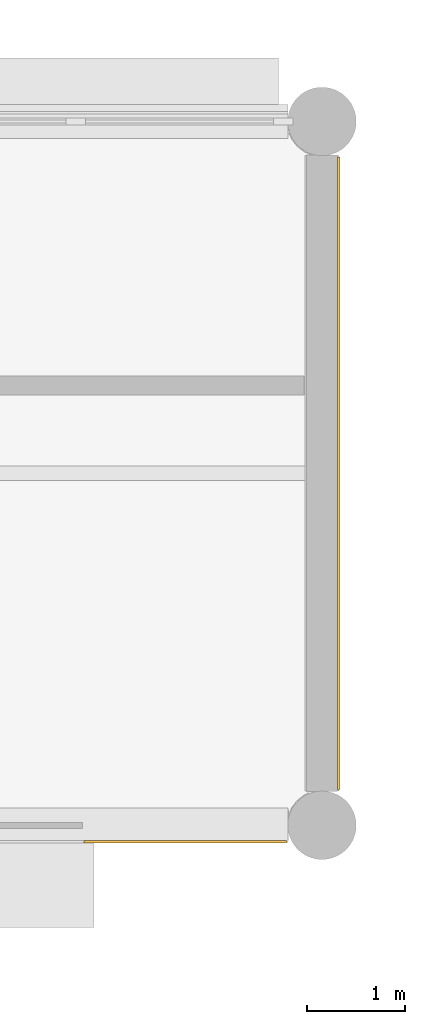
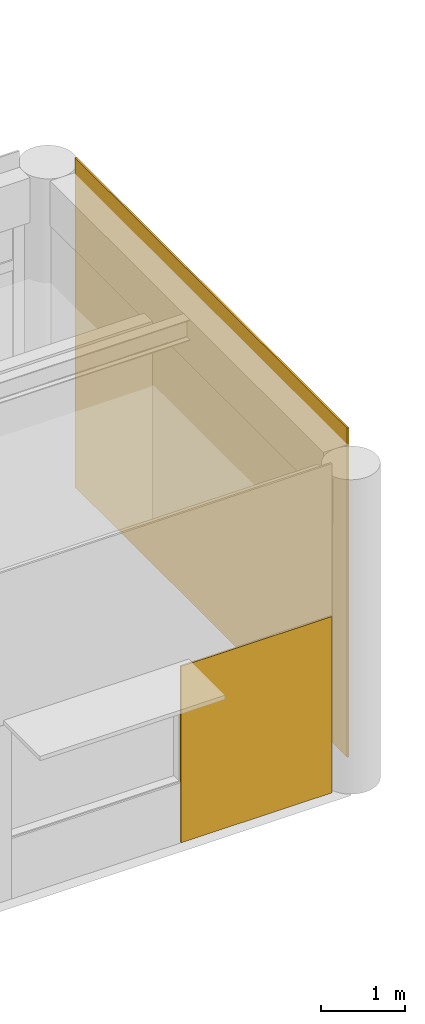
# One storey, part 92 of 92: 2 coverings.
"""IFC4 building model written with IfcOpenShell, lengths in metres."""

from ifc_helpers import new_model, si_unit, direction, frame, origin, origin_2d, place, context, subcontext, project, spatial, rectangle, extrude, material, layer, layer_set, type_object, element, save


model = new_model("IFC4")

# Units and contexts
model_context = context("Model", 3, precision=1e-05, world=origin(), true_north=direction((0.0, 1.0)))
body_context = subcontext(model_context, "Body", "Model", "MODEL_VIEW")
ifc_project = project(units=[si_unit("LENGTHUNIT", "METRE"), si_unit("AREAUNIT", "SQUARE_METRE"), si_unit("VOLUMEUNIT", "CUBIC_METRE"), si_unit("PLANEANGLEUNIT", "RADIAN"), si_unit("MASSUNIT", "GRAM", prefix="KILO")], contexts=[model_context])

# Site, building, storey
site_placement = place(None, origin())
site = spatial("IfcSite", under=ifc_project, at=site_placement, CompositionType="ELEMENT")
building_placement = place(site_placement, origin())
building = spatial("IfcBuilding", under=site, at=building_placement, Name="Namkhue Oval Health Centre", CompositionType="ELEMENT")
storey_placement = place(building_placement, frame((0.0, 0.0, 4.800048828125)))
storey = spatial("IfcBuildingStorey", under=building, at=storey_placement, Name="L01", CompositionType="ELEMENT", Elevation=4.800048828125)

# Coverings
ifc_material = material(Name="White glass-fibre reinforced concrete GRC rainscreen cladding", Category="concrete")
ifc_layer = layer(ifc_material, 0.02490234375)
ifc_layer_set = layer_set([ifc_layer], Name="White glass-fibre reinforced concrete GRC rainscreen cladding")
covering_type = type_object("IfcCoveringType", Name="WHITE GRC RAINSCREEN CLADDING 25", PredefinedType="CLADDING", material=ifc_layer_set)
covering_1_placement = place(storey_placement, frame((135.39990234375, 89.8330078125, 0.010009765625), z_axis=(0.0, 0.0, 1.0), x_axis=(1.0, 0.0, 0.0)))
element("IfcCovering", 1, at=covering_1_placement, inside=storey, type_object=covering_type, Name="Volume V3 L01 Facade 62 White GRC Cladding 4", PredefinedType="CLADDING", context=body_context, shape_type="SweptSolid", body=[
    extrude(rectangle(XDim=2.070068359375, YDim=0.02490234375, at=origin_2d()), origin(), (0.0, 0.0, 1.0), 2.56005859375),
])
covering_2_placement = place(storey_placement, frame((136.971923828125, 93.60009765625, 0.009765625), z_axis=(0.0, 0.0, 1.0), x_axis=(0.0, 1.0, 0.0)))
element("IfcCovering", 2, at=covering_2_placement, inside=storey, type_object=covering_type, Name="Volume V3 L01 Facade 63 White GRC Cladding 1", PredefinedType="CLADDING", context=body_context, shape_type="SweptSolid", body=[
    extrude(rectangle(XDim=6.469970703125, YDim=0.02490234375, at=origin_2d()), origin(), (0.0, 0.0, 1.0), 4.780029296875),
])

save(model, "model.ifc")
